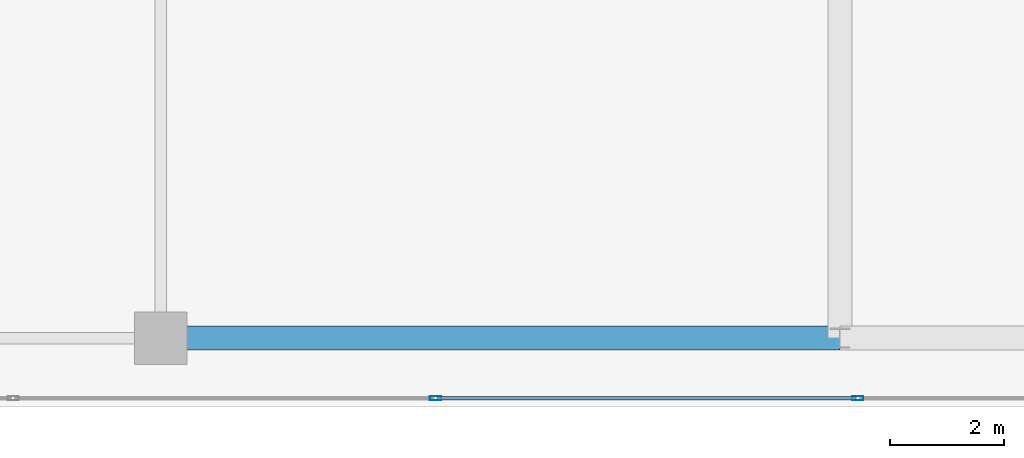
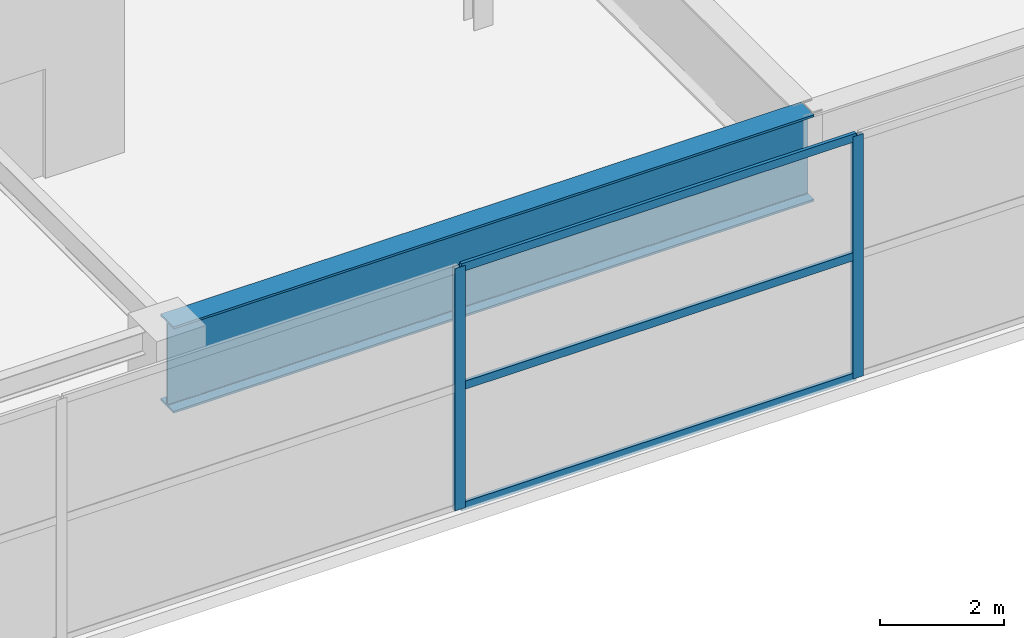
# One storey, part 7 of 21: 5 members, 1 beam, 1 element without a shape of its own.
"""IFC4 building model written with IfcOpenShell, lengths in metres."""

from ifc_helpers import new_model, si_unit, direction, frame, origin, origin_2d, place, context, subcontext, project, spatial, hollow_rectangle, i_section, extrude, material, layer, layer_set, material_profile, profile_set, type_object, element, aggregate, save


model = new_model("IFC4")

# Units and contexts
model_context = context("Model", 3, precision=1e-05, world=origin(), true_north=direction((0.0, 1.0)))
body_context = subcontext(model_context, "Body", "Model", "MODEL_VIEW")
ifc_project = project(units=[si_unit("LENGTHUNIT", "METRE"), si_unit("AREAUNIT", "SQUARE_METRE"), si_unit("VOLUMEUNIT", "CUBIC_METRE"), si_unit("PLANEANGLEUNIT", "RADIAN"), si_unit("MASSUNIT", "GRAM", prefix="KILO")], contexts=[model_context])

# Site, building, storey
site_placement = place(None, origin())
site = spatial("IfcSite", under=ifc_project, at=site_placement, CompositionType="ELEMENT")
building_placement = place(site_placement, origin())
building = spatial("IfcBuilding", under=site, at=building_placement, Name="Calvorn Quay Hotel", CompositionType="ELEMENT")
storey_placement = place(building_placement, frame((0.0, 0.0, 320.5)))
storey = spatial("IfcBuildingStorey", under=building, at=storey_placement, Name="L79", CompositionType="ELEMENT", Elevation=320.5)

# Beam
ifc_material_1 = material(Name="Steel Q420GJC", Category="steel")
ifc_material_profile_1 = material_profile(ifc_material_1, i_section(OverallWidth=0.419921875, OverallDepth=1.699951171875, WebThickness=0.02392578125, FlangeThickness=0.0419921875, FilletRadius=0.02392578125, at=origin_2d()), Name="HN1700x420x24x42")
ifc_profile_set_1 = profile_set([ifc_material_profile_1], Name="Steel Q420GJC")
beam_type = type_object("IfcBeamType", Name="BM-XFER-SAWTOOTH", PredefinedType="BEAM", material=ifc_profile_set_1)
beam_placement = place(storey_placement, frame((12.60009765625, 3.60009765625, 3.889892578125), z_axis=(1.0, 0.0, 0.0), x_axis=(0.0, 1.0, 0.0)))
element("IfcBeam", 1, at=beam_placement, inside=storey, type_object=beam_type, Name="Beam BTG-L79-C-CR1A", PredefinedType="BEAM", context=body_context, shape_type="SweptSolid", body=[
    extrude(i_section(OverallWidth=0.419921875, OverallDepth=1.699951171875, WebThickness=0.02392578125, FlangeThickness=0.0419921875, FilletRadius=0.02392578125, at=origin_2d()), origin(), (0.0, 0.0, 1.0), 11.89990234375),
])

# Curtain wall, members
ifc_material_2 = material(Name="Pale Anodised Aluminium and Laminated Glass", Category="aluminium")
ifc_layer = layer(ifc_material_2, 0.219970703125)
ifc_layer_set = layer_set([ifc_layer], Name="CW-SYS-CRN")
curtain_wall_type = type_object("IfcCurtainWallType", Name="CW-SYS-CRN", PredefinedType="NOTDEFINED", material=ifc_layer_set)
curtain_wall_placement = place(storey_placement, origin())
curtain_wall = element("IfcCurtainWall", 2, at=curtain_wall_placement, inside=storey, type_object=curtain_wall_type, Name="Crown Curtain Wall L79-C1", PredefinedType="NOTDEFINED")
ifc_material_3 = material(Name="Pale Anodised Aluminium 6063-T6", Category="aluminium")
ifc_material_profile_2 = material_profile(ifc_material_3, hollow_rectangle(XDim=0.072021484375, YDim=0.195068359375, WallThickness=0.00390625, at=origin_2d()), Name="ALU-M195x72x4")
ifc_profile_set_2 = profile_set([ifc_material_profile_2], Name="Pale Anodised Aluminium 6063-T6")
member_type_1 = type_object("IfcMemberType", Name="CW-SYS-CRN-MUL", PredefinedType="MULLION", material=ifc_profile_set_2)
member_1_placement = place(storey_placement, frame((17.41650390625, 2.550048828125, 0.0), z_axis=(0.0, 0.0, 1.0), x_axis=(0.0, 1.0, 0.0)))
member_1 = element("IfcMember", 3, at=member_1_placement, type_object=member_type_1, Name="CW-L79-C1 mullion 3", PredefinedType="MULLION", context=body_context, shape_type="SweptSolid", body=[
    extrude(hollow_rectangle(XDim=0.072021484375, YDim=0.195068359375, WallThickness=0.00390625, at=origin_2d()), origin(), (0.0, 0.0, 1.0), 4.760009765625),
])
member_2_placement = place(storey_placement, frame((24.814697265625, 2.550048828125, 0.0), z_axis=(0.0, 0.0, 1.0), x_axis=(0.0, 1.0, 0.0)))
member_2 = element("IfcMember", 4, at=member_2_placement, type_object=member_type_1, Name="CW-L79-C1 mullion 4", PredefinedType="MULLION", context=body_context, shape_type="SweptSolid", body=[
    extrude(hollow_rectangle(XDim=0.072021484375, YDim=0.195068359375, WallThickness=0.00390625, at=origin_2d()), origin(), (0.0, 0.0, 1.0), 4.760009765625),
])
ifc_material_4 = material(Name="Pale Anodised Aluminium 6063-T6", Category="aluminium")
ifc_material_profile_3 = material_profile(ifc_material_4, hollow_rectangle(XDim=0.06201171875, YDim=0.159912109375, WallThickness=0.00341796875, at=origin_2d()), Name="ALU-T160x62x3.5")
ifc_profile_set_3 = profile_set([ifc_material_profile_3], Name="Pale Anodised Aluminium 6063-T6")
member_type_2 = type_object("IfcMemberType", Name="CW-SYS-CRN-TRN", PredefinedType="USERDEFINED", material=ifc_profile_set_3)
member_3_placement = place(storey_placement, frame((17.446533203125, 2.550048828125, 0.030029296875), z_axis=(1.0, 0.0, 0.0), x_axis=(0.0, 1.0, 0.0)))
member_3 = element("IfcMember", 5, at=member_3_placement, type_object=member_type_2, Name="CW-L79-C1 transom 3.1", ObjectType="TRANSOM", PredefinedType="USERDEFINED", context=body_context, shape_type="SweptSolid", body=[
    extrude(hollow_rectangle(XDim=0.06201171875, YDim=0.159912109375, WallThickness=0.00341796875, at=origin_2d()), origin(), (0.0, 0.0, 1.0), 7.338134765625),
])
member_4_placement = place(storey_placement, frame((17.446533203125, 2.550048828125, 2.39990234375), z_axis=(1.0, 0.0, 0.0), x_axis=(0.0, 1.0, 0.0)))
member_4 = element("IfcMember", 6, at=member_4_placement, type_object=member_type_2, Name="CW-L79-C1 transom 3.2", ObjectType="TRANSOM", PredefinedType="USERDEFINED", context=body_context, shape_type="SweptSolid", body=[
    extrude(hollow_rectangle(XDim=0.06201171875, YDim=0.159912109375, WallThickness=0.00341796875, at=origin_2d()), origin(), (0.0, 0.0, 1.0), 7.338134765625),
])
member_5_placement = place(storey_placement, frame((17.446533203125, 2.550048828125, 4.72998046875), z_axis=(1.0, 0.0, 0.0), x_axis=(0.0, 1.0, 0.0)))
member_5 = element("IfcMember", 7, at=member_5_placement, type_object=member_type_2, Name="CW-L79-C1 transom 3.3", ObjectType="TRANSOM", PredefinedType="USERDEFINED", context=body_context, shape_type="SweptSolid", body=[
    extrude(hollow_rectangle(XDim=0.06201171875, YDim=0.159912109375, WallThickness=0.00341796875, at=origin_2d()), origin(), (0.0, 0.0, 1.0), 7.338134765625),
])
aggregate(curtain_wall, [member_1, member_2, member_3, member_4, member_5])

save(model, "model.ifc")
